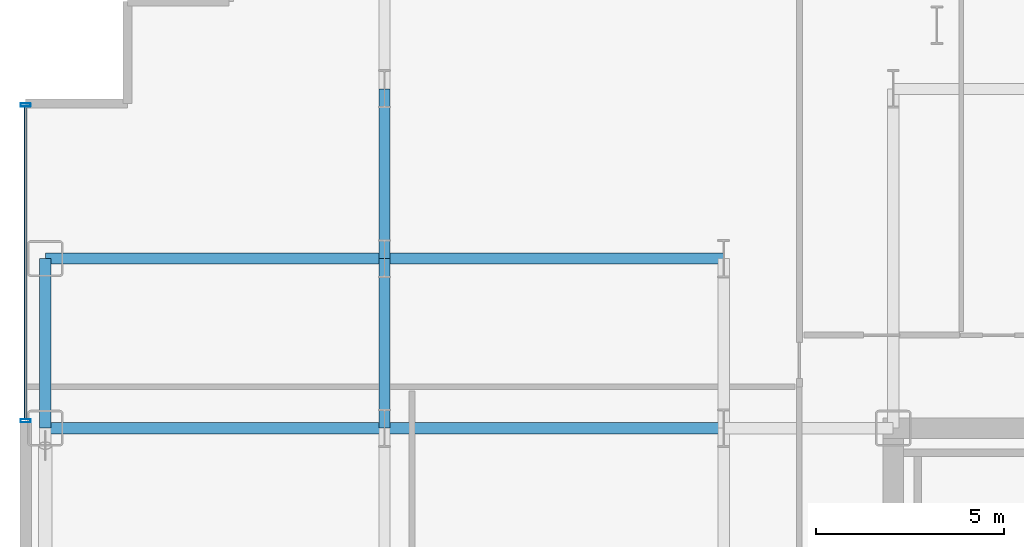
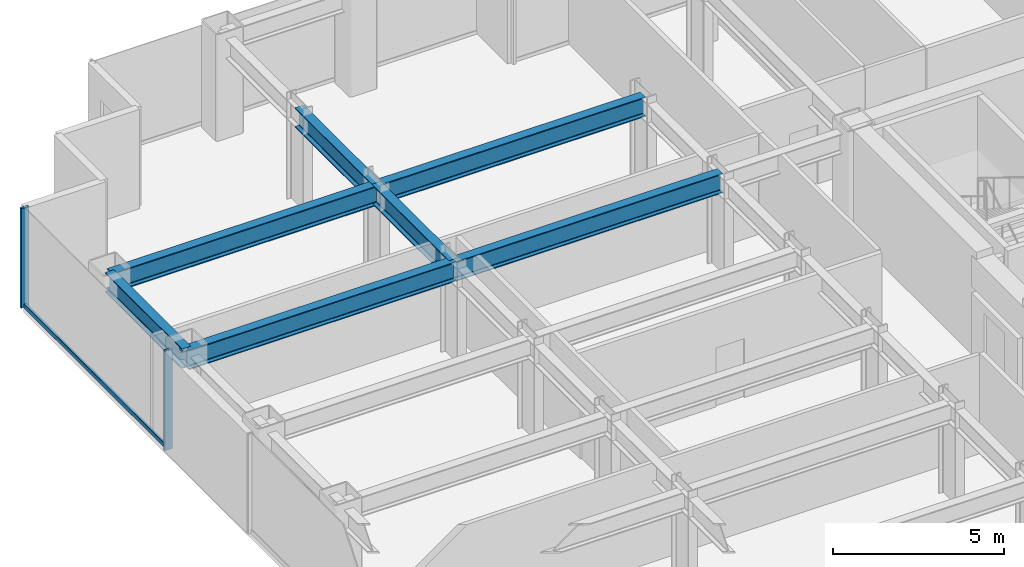
# One storey, part 11 of 28: 7 beams, 3 members, 1 element without a shape of its own.
"""IFC4 building model written with IfcOpenShell, lengths in metres."""

from ifc_helpers import new_model, si_unit, direction, frame, origin, origin_2d, place, context, subcontext, project, spatial, hollow_rectangle, i_section, extrude, source, transform, mapped, material, layer, layer_set, material_profile, profile_set, type_object, element, aggregate, save


model = new_model("IFC4")

# Units and contexts
model_context = context("Model", 3, precision=1e-05, world=origin(), true_north=direction((0.0, 1.0)))
body_context = subcontext(model_context, "Body", "Model", "MODEL_VIEW")
ifc_project = project(units=[si_unit("LENGTHUNIT", "METRE"), si_unit("AREAUNIT", "SQUARE_METRE"), si_unit("VOLUMEUNIT", "CUBIC_METRE"), si_unit("PLANEANGLEUNIT", "RADIAN"), si_unit("MASSUNIT", "GRAM", prefix="KILO")], contexts=[model_context])

# Site, building, storey
site_placement = place(None, origin())
site = spatial("IfcSite", under=ifc_project, at=site_placement, CompositionType="ELEMENT")
building_placement = place(site_placement, origin())
building = spatial("IfcBuilding", under=site, at=building_placement, Name="Nefas-Gora Pilgrimage Tower", CompositionType="ELEMENT")
storey_placement = place(building_placement, frame((0.0, 0.0, 102.199951171875)))
storey = spatial("IfcBuildingStorey", under=building, at=storey_placement, Name="L24", CompositionType="ELEMENT", Elevation=102.199951171875)

# Beams
ifc_material_1 = material(Name="Steel S355", Category="steel")
ifc_material_profile_1 = material_profile(ifc_material_1, i_section(OverallWidth=0.300048828125, OverallDepth=0.699951171875, WebThickness=0.01708984375, FlangeThickness=0.031982421875, FilletRadius=0.027099609375, at=origin_2d()), Name="HEB 700")
ifc_profile_set_1 = profile_set([ifc_material_profile_1], Name="Steel S355")
beam_type_1 = type_object("IfcBeamType", Name="BM-SPN-HEB600", PredefinedType="SPANDREL", material=ifc_profile_set_1)
shared_shape_1 = source(origin(), body_context, "Body", "SweptSolid", [
    extrude(i_section(OverallWidth=0.300048828125, OverallDepth=0.699951171875, WebThickness=0.01708984375, FlangeThickness=0.031982421875, FilletRadius=0.027099609375, at=origin_2d()), origin(), (0.0, 0.0, 1.0), 4.5),
])
beam_placement = place(storey_placement, frame((-33.75, 9.0, 3.199951171875), z_axis=(0.0, 1.0, 0.0), x_axis=(-1.0, 0.0, 0.0)))
element("IfcBeam", 1, at=beam_placement, inside=storey, type_object=beam_type_1, Name="L24 SP-01 beam", PredefinedType="SPANDREL", context=body_context, shape_type="MappedRepresentation", body=[
    mapped(shared_shape_1, transform((0.0, 0.0, 0.0), x_axis=(1.0, 0.0, 0.0), y_axis=(0.0, 1.0, 0.0), z_axis=(0.0, 0.0, 1.0), scale=1.0)),
])
ifc_material_profile_2 = material_profile(ifc_material_1, i_section(OverallWidth=0.300048828125, OverallDepth=0.699951171875, WebThickness=0.01708984375, FlangeThickness=0.031982421875, FilletRadius=0.027099609375, at=origin_2d()), Name="HEB 700")
ifc_profile_set_2 = profile_set([ifc_material_profile_2], Name="Steel S355")
beam_type_2 = type_object("IfcBeamType", Name="BM-GIR-HEB700", PredefinedType="BEAM", material=ifc_profile_set_2)
shared_shape_2 = source(origin(), body_context, "Body", "SweptSolid", [
    extrude(i_section(OverallWidth=0.300048828125, OverallDepth=0.699951171875, WebThickness=0.01708984375, FlangeThickness=0.031982421875, FilletRadius=0.027099609375, at=origin_2d()), origin(), (0.0, 0.0, 1.0), 9.0),
])
for number, where, z_axis, x_axis, name in (
    (2, (-33.75, 9.0, 3.199951171875), (1.0, 0.0, 0.0), (0.0, 1.0, 0.0), "L24 G-02 beam"),
    (3, (-33.75, 13.5, 3.199951171875), (1.0, 0.0, 0.0), (0.0, 1.0, 0.0), "L24 G-02 beam"),
    (4, (-24.75, 9.0, 3.199951171875), (1.0, 0.0, 0.0), (0.0, 1.0, 0.0), "L24 G-02 beam"),
    (5, (-24.75, 13.5, 3.199951171875), (1.0, 0.0, 0.0), (0.0, 1.0, 0.0), "L24 G-02 beam"),
):
    element("IfcBeam", number, at=place(storey_placement, frame(where, z_axis=z_axis, x_axis=x_axis)), inside=storey, type_object=beam_type_2, Name=name, PredefinedType="BEAM", context=body_context, shape_type="MappedRepresentation", body=[
        mapped(shared_shape_2, transform((0.0, 0.0, 0.0), x_axis=(1.0, 0.0, 0.0), y_axis=(0.0, 1.0, 0.0), z_axis=(0.0, 0.0, 1.0), scale=1.0)),
    ])
shared_shape_3 = source(origin(), body_context, "Body", "SweptSolid", [
    extrude(i_section(OverallWidth=0.300048828125, OverallDepth=0.699951171875, WebThickness=0.01708984375, FlangeThickness=0.031982421875, FilletRadius=0.027099609375, at=origin_2d()), origin(), (0.0, 0.0, 1.0), 4.5),
])
for number, where, z_axis, x_axis, name in (
    (6, (-24.75, 9.0, 3.199951171875), (0.0, 1.0, 0.0), (-1.0, 0.0, 0.0), "L24 G-02 beam"),
    (7, (-24.75, 13.5, 3.199951171875), (0.0, 1.0, 0.0), (-1.0, 0.0, 0.0), "L24 G-02 beam"),
):
    element("IfcBeam", number, at=place(storey_placement, frame(where, z_axis=z_axis, x_axis=x_axis)), inside=storey, type_object=beam_type_2, Name=name, PredefinedType="BEAM", context=body_context, shape_type="MappedRepresentation", body=[
        mapped(shared_shape_3, transform((0.0, 0.0, 0.0), x_axis=(1.0, 0.0, 0.0), y_axis=(0.0, 1.0, 0.0), z_axis=(0.0, 0.0, 1.0), scale=1.0)),
    ])

# Curtain wall, members
ifc_material_2 = material(Name="Dark ceramic-fritted solar-control aluminium-glass curtain wall", Category="aluminium")
ifc_layer = layer(ifc_material_2, 0.219970703125)
ifc_layer_set = layer_set([ifc_layer], Name="Dark ceramic-fritted solar-control aluminium-glass curtain wall")
curtain_wall_type = type_object("IfcCurtainWallType", Name="CW-SYS-2", PredefinedType="NOTDEFINED", material=ifc_layer_set)
curtain_wall_placement = place(storey_placement, origin())
curtain_wall = element("IfcCurtainWall", 8, at=curtain_wall_placement, inside=storey, type_object=curtain_wall_type, Name="L24 Unitised Curtain Wall CW2", PredefinedType="NOTDEFINED")
ifc_material_3 = material(Name="Anodised architectural aluminium", Category="aluminium")
ifc_material_profile_3 = material_profile(ifc_material_3, hollow_rectangle(XDim=0.090087890625, YDim=0.260009765625, WallThickness=0.006103515625, InnerFilletRadius=0.006103515625, OuterFilletRadius=0.011962890625, at=origin_2d()), Name="ALU MULLION 90x260")
ifc_profile_set_3 = profile_set([ifc_material_profile_3], Name="Anodised architectural aluminium")
member_type_1 = type_object("IfcMemberType", Name="CWM-MUL-2", PredefinedType="MULLION", material=ifc_profile_set_3)
shared_shape_4 = source(origin(), body_context, "Body", "SweptSolid", [
    extrude(hollow_rectangle(XDim=0.090087890625, YDim=0.260009765625, WallThickness=0.006103515625, InnerFilletRadius=0.006103515625, OuterFilletRadius=0.011962890625, at=origin_2d()), origin(), (0.0, 0.0, 1.0), 3.550048828125),
])
member_1_placement = place(storey_placement, frame((-34.27001953125, 17.574951171875, 0.0), z_axis=(0.0, 0.0, 1.0), x_axis=(0.0, -1.0, 0.0)))
member_1 = element("IfcMember", 9, at=member_1_placement, type_object=member_type_1, Name="CW2 Mullion 1", PredefinedType="MULLION", context=body_context, shape_type="MappedRepresentation", body=[
    mapped(shared_shape_4, transform((0.0, 0.0, 0.0), x_axis=(1.0, 0.0, 0.0), y_axis=(0.0, 1.0, 0.0), z_axis=(0.0, 0.0, 1.0), scale=1.0)),
])
member_2_placement = place(storey_placement, frame((-34.27001953125, 9.195068359375, 0.0), z_axis=(0.0, 0.0, 1.0), x_axis=(0.0, -1.0, 0.0)))
member_2 = element("IfcMember", 10, at=member_2_placement, type_object=member_type_1, Name="CW2 Mullion 2", PredefinedType="MULLION", context=body_context, shape_type="MappedRepresentation", body=[
    mapped(shared_shape_4, transform((0.0, 0.0, 0.0), x_axis=(1.0, 0.0, 0.0), y_axis=(0.0, 1.0, 0.0), z_axis=(0.0, 0.0, 1.0), scale=1.0)),
])
ifc_material_profile_4 = material_profile(ifc_material_3, hollow_rectangle(XDim=0.080078125, YDim=0.159912109375, WallThickness=0.00439453125, InnerFilletRadius=0.00439453125, OuterFilletRadius=0.009033203125, at=origin_2d()), Name="ALU TRANSOM 80x160")
ifc_profile_set_4 = profile_set([ifc_material_profile_4], Name="Anodised architectural aluminium")
member_type_2 = type_object("IfcMemberType", Name="CWM-TRN-2", PredefinedType="USERDEFINED", material=ifc_profile_set_4)
shared_shape_5 = source(origin(), body_context, "Body", "SweptSolid", [
    extrude(hollow_rectangle(XDim=0.080078125, YDim=0.159912109375, WallThickness=0.00439453125, InnerFilletRadius=0.00439453125, OuterFilletRadius=0.009033203125, at=origin_2d()), origin(), (0.0, 0.0, 1.0), 8.2900390625),
])
member_3_placement = place(storey_placement, frame((-34.27001953125, 17.530029296875, 0.050048828125), z_axis=(0.0, -1.0, 0.0), x_axis=(1.0, 0.0, 0.0)))
member_3 = element("IfcMember", 11, at=member_3_placement, type_object=member_type_2, Name="CW2 Spandrel Transom", ObjectType="TRANSOM", PredefinedType="USERDEFINED", context=body_context, shape_type="MappedRepresentation", body=[
    mapped(shared_shape_5, transform((0.0, 0.0, 0.0), x_axis=(1.0, 0.0, 0.0), y_axis=(0.0, 1.0, 0.0), z_axis=(0.0, 0.0, 1.0), scale=1.0)),
])
aggregate(curtain_wall, [member_1, member_2, member_3])

save(model, "model.ifc")
